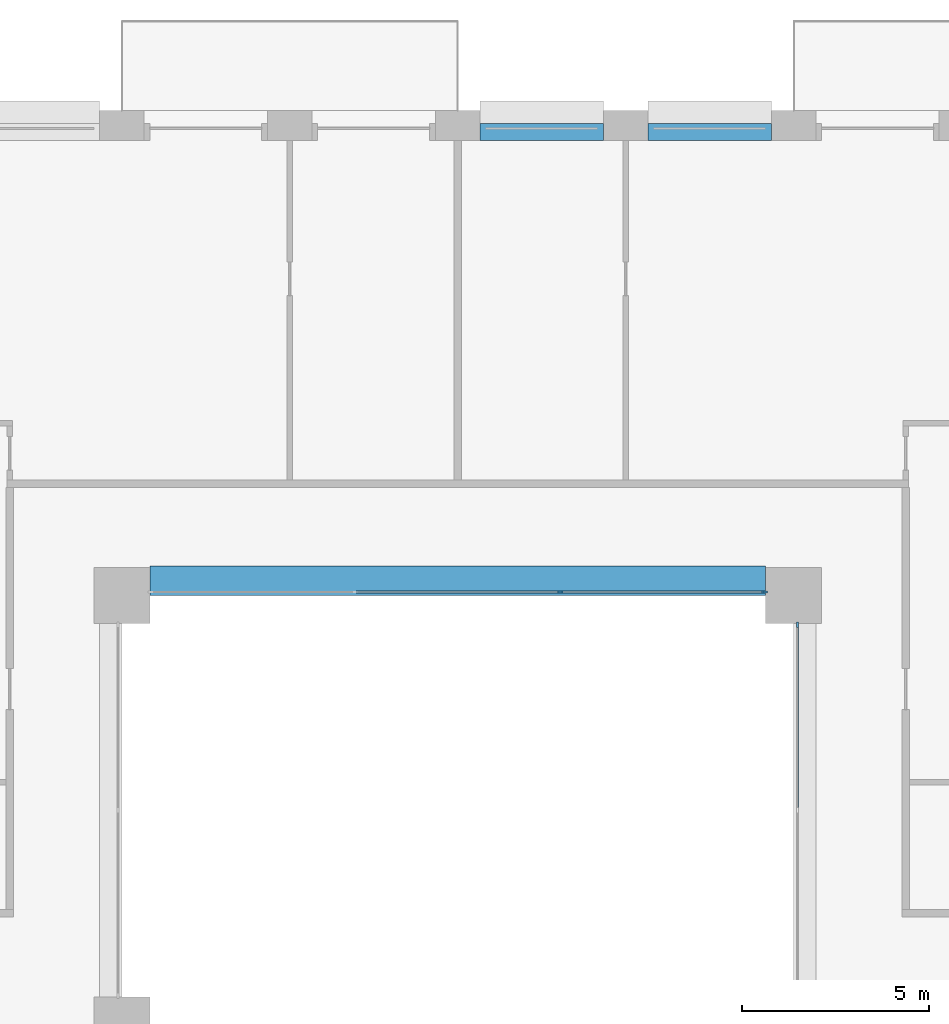
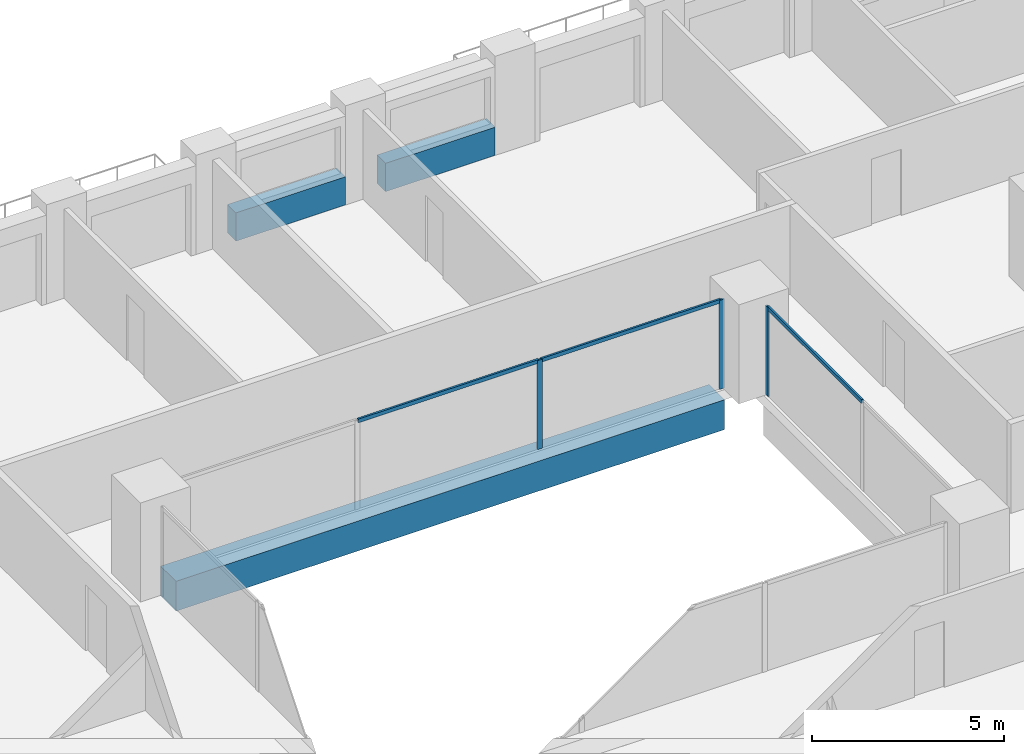
# One storey, part 7 of 19: 6 members, 3 beams, 2 elements without a shape of their own.
"""IFC4 building model written with IfcOpenShell, lengths in metres."""

from ifc_helpers import new_model, si_unit, direction, frame, origin, origin_2d, place, context, subcontext, project, spatial, rectangle, extrude, material, layer, layer_set, material_profile, profile_set, type_object, element, aggregate, save


model = new_model("IFC4")

# Units and contexts
model_context = context("Model", 3, precision=1e-05, world=origin(), true_north=direction((0.0, 1.0)))
body_context = subcontext(model_context, "Body", "Model", "MODEL_VIEW")
ifc_project = project(units=[si_unit("LENGTHUNIT", "METRE"), si_unit("AREAUNIT", "SQUARE_METRE"), si_unit("VOLUMEUNIT", "CUBIC_METRE"), si_unit("PLANEANGLEUNIT", "RADIAN"), si_unit("MASSUNIT", "GRAM", prefix="KILO")], contexts=[model_context])

# Site, building, storey
site_placement = place(None, origin())
site = spatial("IfcSite", under=ifc_project, at=site_placement, CompositionType="ELEMENT")
building_placement = place(site_placement, origin())
building = spatial("IfcBuilding", under=site, at=building_placement, Name="Brigalow Station Residences", CompositionType="ELEMENT")
storey_placement = place(building_placement, frame((0.0, 0.0, 19.5)))
storey = spatial("IfcBuildingStorey", under=building, at=storey_placement, Name="L04", CompositionType="ELEMENT", Elevation=19.5)

# Beam
ifc_material_1 = material(Name="Concrete C65", Category="concrete")
ifc_material_profile_1 = material_profile(ifc_material_1, rectangle(XDim=0.800048828125, YDim=0.949951171875, at=origin_2d()), Name="RC800x950")
ifc_profile_set_1 = profile_set([ifc_material_profile_1], Name="Concrete C65")
beam_type_1 = type_object("IfcBeamType", Name="ATRIUM EDGE GIRDER OVER 13.5 M SPAN 800x950 C65", PredefinedType="BEAM", material=ifc_profile_set_1)
beam_placement = place(storey_placement, frame((27.75, 35.89990234375, -0.794921875), z_axis=(1.0, 0.0, 0.0), x_axis=(0.0, 1.0, 0.0)))
element("IfcBeam", 1, at=beam_placement, inside=storey, type_object=beam_type_1, Name="ATRIUM EDGE GIRDER D L04", PredefinedType="BEAM", context=body_context, shape_type="SweptSolid", body=[
    extrude(rectangle(XDim=0.800048828125, YDim=0.949951171875, at=origin_2d()), origin(), (0.0, 0.0, 1.0), 16.5),
])

# Curtain wall, member
ifc_material_2 = material(Name="Aluminium", Category="aluminium")
ifc_layer = layer(ifc_material_2, 0.14990234375)
ifc_layer_set = layer_set([ifc_layer], Name="ATRIUM FIRE-RATED GLAZING CURTAIN WALL")
curtain_wall_type = type_object("IfcCurtainWallType", Name="ATRIUM FIRE-RATED GLAZING CURTAIN WALL", PredefinedType="NOTDEFINED", material=ifc_layer_set)
curtain_wall_1_placement = place(storey_placement, origin())
curtain_wall_1 = element("IfcCurtainWall", 2, at=curtain_wall_1_placement, inside=storey, type_object=curtain_wall_type, Name="L04/cw/atrium-E", PredefinedType="NOTDEFINED")
ifc_material_3 = material(Name="Aluminium", Category="aluminium")
ifc_material_profile_2 = material_profile(ifc_material_3, rectangle(XDim=0.06005859375, YDim=0.14990234375, at=origin_2d()), Name="ATRIUM FIRE-RATED GLAZING MULLION 60x150")
ifc_profile_set_2 = profile_set([ifc_material_profile_2], Name="Aluminium")
member_type_1 = type_object("IfcMemberType", Name="ATRIUM FIRE-RATED GLAZING MULLION 60x150", PredefinedType="MULLION", material=ifc_profile_set_2)
member_1_placement = place(storey_placement, frame((45.10009765625, 34.719970703125, 0.0), z_axis=(0.0, 0.0, 1.0), x_axis=(-1.0, 0.0, 0.0)))
member_1 = element("IfcMember", 3, at=member_1_placement, type_object=member_type_1, Name="L04/cw/atrium-E/M02", PredefinedType="MULLION", context=body_context, shape_type="SweptSolid", body=[
    extrude(rectangle(XDim=0.06005859375, YDim=0.14990234375, at=origin_2d()), origin(), (0.0, 0.0, 1.0), 2.830078125),
])

# Curtain wall, members
curtain_wall_2_placement = place(storey_placement, origin())
curtain_wall_2 = element("IfcCurtainWall", 4, at=curtain_wall_2_placement, inside=storey, type_object=curtain_wall_type, Name="L04/cw/atrium-N", PredefinedType="NOTDEFINED")
member_2_placement = place(storey_placement, frame((44.219970703125, 35.60009765625, 0.0), z_axis=(0.0, 0.0, 1.0), x_axis=(0.0, -1.0, 0.0)))
member_2 = element("IfcMember", 5, at=member_2_placement, type_object=member_type_1, Name="L04/cw/atrium-N/M00", PredefinedType="MULLION", context=body_context, shape_type="SweptSolid", body=[
    extrude(rectangle(XDim=0.06005859375, YDim=0.14990234375, at=origin_2d()), origin(), (0.0, 0.0, 1.0), 2.830078125),
])
member_3_placement = place(storey_placement, frame((38.75, 35.60009765625, 0.0), z_axis=(0.0, 0.0, 1.0), x_axis=(0.0, -1.0, 0.0)))
member_3 = element("IfcMember", 6, at=member_3_placement, type_object=member_type_1, Name="L04/cw/atrium-N/M01", PredefinedType="MULLION", context=body_context, shape_type="SweptSolid", body=[
    extrude(rectangle(XDim=0.06005859375, YDim=0.14990234375, at=origin_2d()), origin(), (0.0, 0.0, 1.0), 2.830078125),
])

# Member
ifc_material_4 = material(Name="Aluminium", Category="aluminium")
ifc_material_profile_3 = material_profile(ifc_material_4, rectangle(XDim=0.06005859375, YDim=0.1201171875, at=origin_2d()), Name="ATRIUM FIRE-RATED GLAZING TRANSOM 60x120")
ifc_profile_set_3 = profile_set([ifc_material_profile_3], Name="Aluminium")
member_type_2 = type_object("IfcMemberType", Name="ATRIUM FIRE-RATED GLAZING TRANSOM 60x120", PredefinedType="USERDEFINED", material=ifc_profile_set_3)
member_4_placement = place(storey_placement, frame((45.10009765625, 29.780029296875, 2.800048828125), z_axis=(0.0, 1.0, 0.0), x_axis=(-1.0, 0.0, 0.0)))
member_4 = element("IfcMember", 7, at=member_4_placement, type_object=member_type_2, Name="L04/cw/atrium-E/T01-00", ObjectType="TRANSOM", PredefinedType="USERDEFINED", context=body_context, shape_type="SweptSolid", body=[
    extrude(rectangle(XDim=0.06005859375, YDim=0.1201171875, at=origin_2d()), origin(), (0.0, 0.0, 1.0), 4.909912109375),
])

aggregate(curtain_wall_1, [member_1, member_4])

member_5_placement = place(storey_placement, frame((44.18994140625, 35.60009765625, 2.800048828125), z_axis=(-1.0, 0.0, 0.0), x_axis=(0.0, -1.0, 0.0)))
member_5 = element("IfcMember", 8, at=member_5_placement, type_object=member_type_2, Name="L04/cw/atrium-N/T00-00", ObjectType="TRANSOM", PredefinedType="USERDEFINED", context=body_context, shape_type="SweptSolid", body=[
    extrude(rectangle(XDim=0.06005859375, YDim=0.1201171875, at=origin_2d()), origin(), (0.0, 0.0, 1.0), 5.409912109375),
])

member_6_placement = place(storey_placement, frame((38.719970703125, 35.60009765625, 2.800048828125), z_axis=(-1.0, 0.0, 0.0), x_axis=(0.0, -1.0, 0.0)))
member_6 = element("IfcMember", 9, at=member_6_placement, type_object=member_type_2, Name="L04/cw/atrium-N/T01-00", ObjectType="TRANSOM", PredefinedType="USERDEFINED", context=body_context, shape_type="SweptSolid", body=[
    extrude(rectangle(XDim=0.06005859375, YDim=0.1201171875, at=origin_2d()), origin(), (0.0, 0.0, 1.0), 5.43994140625),
])

aggregate(curtain_wall_2, [member_2, member_3, member_5, member_6])

# Beams
ifc_material_5 = material(Name="Concrete C65", Category="concrete")
ifc_material_profile_4 = material_profile(ifc_material_5, rectangle(XDim=0.449951171875, YDim=0.89990234375, at=origin_2d()), Name="RC450x900")
ifc_profile_set_4 = profile_set([ifc_material_profile_4], Name="Concrete C65")
beam_type_2 = type_object("IfcBeamType", Name="SPANDREL BEAM 450x900 C65", PredefinedType="SPANDREL", material=ifc_profile_set_4)
for number, where, z_axis, x_axis, name in (
    (10, (44.39990234375, 47.925048828125, 0.449951171875), (-1.0, 0.0, 0.0), (0.0, -1.0, 0.0), "L04/spandrel/W-L04-31"),
    (11, (39.89990234375, 47.925048828125, 0.449951171875), (-1.0, 0.0, 0.0), (0.0, -1.0, 0.0), "L04/spandrel/W-L04-32"),
):
    element("IfcBeam", number, at=place(storey_placement, frame(where, z_axis=z_axis, x_axis=x_axis)), inside=storey, type_object=beam_type_2, Name=name, PredefinedType="SPANDREL", context=body_context, shape_type="SweptSolid", body=[
        extrude(rectangle(XDim=0.449951171875, YDim=0.89990234375, at=origin_2d()), origin(), (0.0, 0.0, 1.0), 3.2998046875),
    ])

save(model, "model.ifc")
